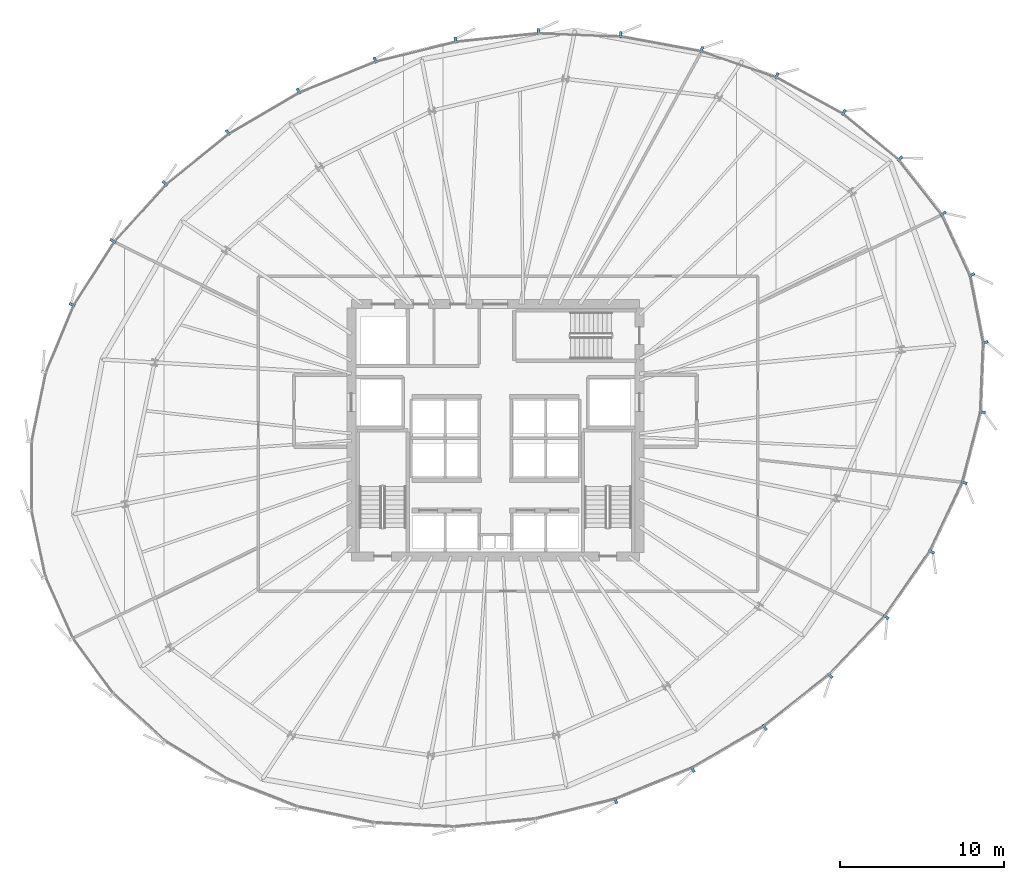
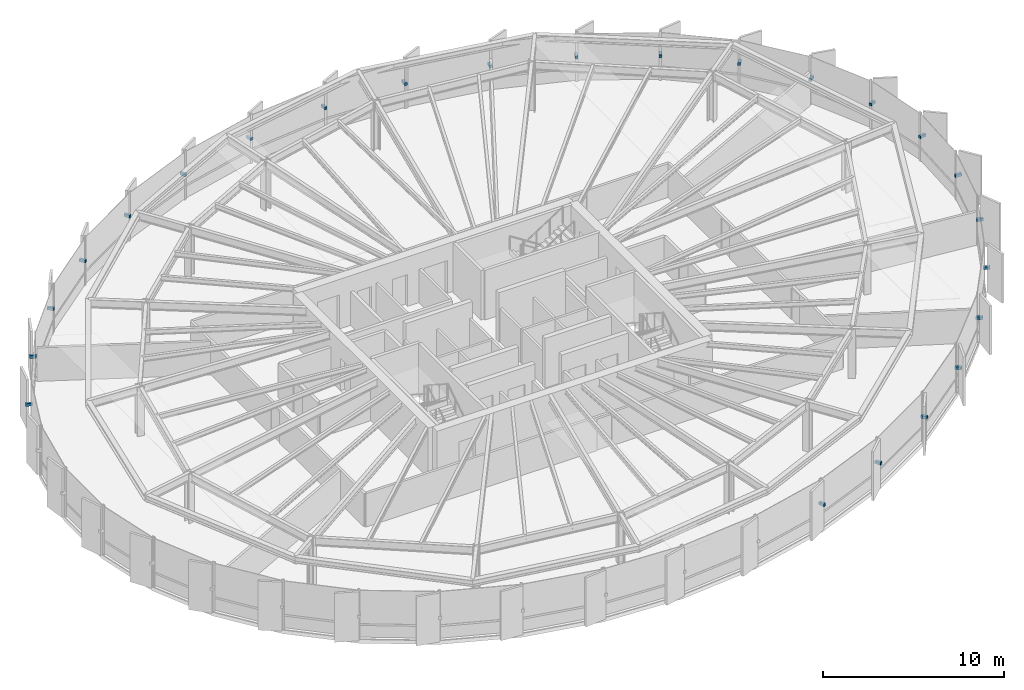
# One storey, part 31 of 35: 24 discrete accessories.
"""IFC4 building model written with IfcOpenShell, lengths in metres."""

from ifc_helpers import new_model, si_unit, direction, frame, origin, origin_2d, place, context, subcontext, project, spatial, rectangle, extrude, source, transform, mapped, material, type_object, element, save


model = new_model("IFC4")

# Units and contexts
model_context = context("Model", 3, precision=1e-05, world=origin(), true_north=direction((0.0, 1.0)))
body_context = subcontext(model_context, "Body", "Model", "MODEL_VIEW")
ifc_project = project(units=[si_unit("LENGTHUNIT", "METRE"), si_unit("AREAUNIT", "SQUARE_METRE"), si_unit("VOLUMEUNIT", "CUBIC_METRE"), si_unit("PLANEANGLEUNIT", "RADIAN"), si_unit("MASSUNIT", "GRAM", prefix="KILO"), si_unit("THERMODYNAMICTEMPERATUREUNIT", "KELVIN")], contexts=[model_context])

# Site, building, storey
site_placement = place(None, origin())
site = spatial("IfcSite", under=ifc_project, at=site_placement, CompositionType="ELEMENT")
building_placement = place(site_placement, origin())
building = spatial("IfcBuilding", under=site, at=building_placement, Name="Kethvar Cultural Tower", CompositionType="ELEMENT")
storey_placement = place(building_placement, frame((0.0, 0.0, 107.199951171875)))
storey = spatial("IfcBuildingStorey", under=building, at=storey_placement, Name="L26", CompositionType="ELEMENT", Elevation=107.199951171875)

# Discrete accessories
ifc_material = material(Name="Steel S355J2", Category="steel")
discrete_accessory_type = type_object("IfcDiscreteAccessoryType", Name="Steel Fin Bracket BRK-01", PredefinedType="BRACKET", material=ifc_material)
shared_shape = source(origin(), body_context, "Body", "SweptSolid", [
    extrude(rectangle(XDim=0.3798828125, YDim=0.159912109375, at=origin_2d()), origin(), (0.0, 0.0, 1.0), 0.179931640625),
])
for number, where, z_axis, x_axis, name in (
    (1, (75.887451171875, 37.293212890625, 1.5849609375), (0.0, 0.0, 1.0), (0.90689698981, 0.4213524058, 0.0), "L26 Terracotta Fin Bracket 1.1"),
    (2, (74.151123046875, 41.030029296875, 1.5849609375), (0.0, 0.0, 1.0), (0.784992666412, 0.61950505541, 0.0), "L26 Terracotta Fin Bracket 1.2"),
    (3, (71.507080078125, 44.380615234375, 1.5849609375), (0.0, 0.0, 1.0), (0.636616760808, 0.771180329014, 0.0), "L26 Terracotta Fin Bracket 1.3"),
    (4, (68.073486328125, 47.214599609375, 1.5849609375), (0.0, 0.0, 1.0), (0.480835743909, 0.876810690731, 0.0), "L26 Terracotta Fin Bracket 1.4"),
    (5, (63.986083984375, 49.455810546875, 1.5849609375), (0.0, 0.0, 1.0), (0.328207267568, 0.944605732311, 0.0), "L26 Terracotta Fin Bracket 1.5"),
    (6, (59.403564453125, 51.0478515625, 1.5849609375), (0.0, 0.0, 1.0), (0.181205763627, 0.983445204995, 0.0), "L26 Terracotta Fin Bracket 1.6"),
    (7, (54.45654296875, 51.953857421875, 1.5849609375), (0.0, 0.0, 1.0), (0.038736615301, 0.999249455659, 0.0), "L26 Terracotta Fin Bracket 2.1"),
    (8, (49.43212890625, 52.1484375, 1.5849609375), (0.0, 0.0, 1.0), (-0.101577201628, 0.994827659502, 0.0), "L26 Terracotta Fin Bracket 2.2"),
    (9, (44.371826171875, 51.6318359375, 1.5849609375), (0.0, 0.0, 1.0), (-0.240397460805, 0.970674539091, 0.0), "L26 Terracotta Fin Bracket 2.3"),
    (10, (39.451904296875, 50.4130859375, 1.5849609375), (0.0, 0.0, 1.0), (-0.376224263139, 0.926528630872, 0.0), "L26 Terracotta Fin Bracket 2.4"),
    (11, (34.774169921875, 48.51318359375, 1.5849609375), (0.0, 0.0, 1.0), (-0.505883219381, 0.862601975623, 0.0), "L26 Terracotta Fin Bracket 2.5"),
    (12, (30.461669921875, 45.984130859375, 1.5849609375), (0.0, 0.0, 1.0), (-0.628234677493, 0.778023900658, 0.0), "L26 Terracotta Fin Bracket 2.6"),
    (13, (26.619384765625, 42.873779296875, 1.5849609375), (0.0, 0.0, 1.0), (-0.741507614123, 0.670944452394, 0.0), "L26 Terracotta Fin Bracket 3.1"),
    (14, (23.44189453125, 39.362060546875, 1.5849609375), (0.0, 0.0, 1.0), (-0.841887735737, 0.539652703519, 0.0), "L26 Terracotta Fin Bracket 3.2"),
    (15, (20.947509765625, 35.47021484375, 1.5849609375), (0.0, 0.0, 1.0), (-0.923879532511, 0.382683432365, 0.0), "L26 Terracotta Fin Bracket 3.3"),
    (16, (54.148193359375, 5.18701171875, 1.5849609375), (0.0, 0.0, 1.0), (0.376062547658, -0.926594280281, 0.0), "L26 Terracotta Fin Bracket 5.4"),
    (17, (58.844970703125, 7.093017578125, 1.5849609375), (0.0, 0.0, 1.0), (0.50256734447, -0.864538064097, 0.0), "L26 Terracotta Fin Bracket 5.5"),
    (18, (63.2421875, 9.649658203125, 1.5849609375), (0.0, 0.0, 1.0), (0.618682673481, -0.78564098005, 0.0), "L26 Terracotta Fin Bracket 5.6"),
    (19, (67.25, 12.81298828125, 1.5849609375), (0.0, 0.0, 1.0), (0.724653130187, -0.689113808387, 0.0), "L26 Terracotta Fin Bracket 6.1"),
    (20, (70.662109375, 16.4013671875, 1.5849609375), (0.0, 0.0, 1.0), (0.820750575823, -0.571286698852, 0.0), "L26 Terracotta Fin Bracket 6.2"),
    (21, (73.43359375, 20.38330078125, 1.5849609375), (0.0, 0.0, 1.0), (0.904380681389, -0.426726590606, 0.0), "L26 Terracotta Fin Bracket 6.3"),
    (22, (75.4228515625, 24.599609375, 1.5849609375), (0.0, 0.0, 1.0), (0.96832220265, -0.249704048534, 0.0), "L26 Terracotta Fin Bracket 6.4"),
    (23, (76.53466796875, 28.91064453125, 1.5849609375), (0.0, 0.0, 1.0), (0.999208342878, -0.039783005453, 0.0), "L26 Terracotta Fin Bracket 6.5"),
    (24, (76.703857421875, 33.175537109375, 1.5849609375), (0.0, 0.0, 1.0), (0.981359807051, 0.192179419046, 0.0), "L26 Terracotta Fin Bracket 6.6"),
):
    element("IfcDiscreteAccessory", number, at=place(storey_placement, frame(where, z_axis=z_axis, x_axis=x_axis)), inside=storey, type_object=discrete_accessory_type, Name=name, PredefinedType="BRACKET", context=body_context, shape_type="MappedRepresentation", body=[
        mapped(shared_shape, transform((0.0, 0.0, 0.0), scale=1.0)),
    ])

save(model, "model.ifc")
